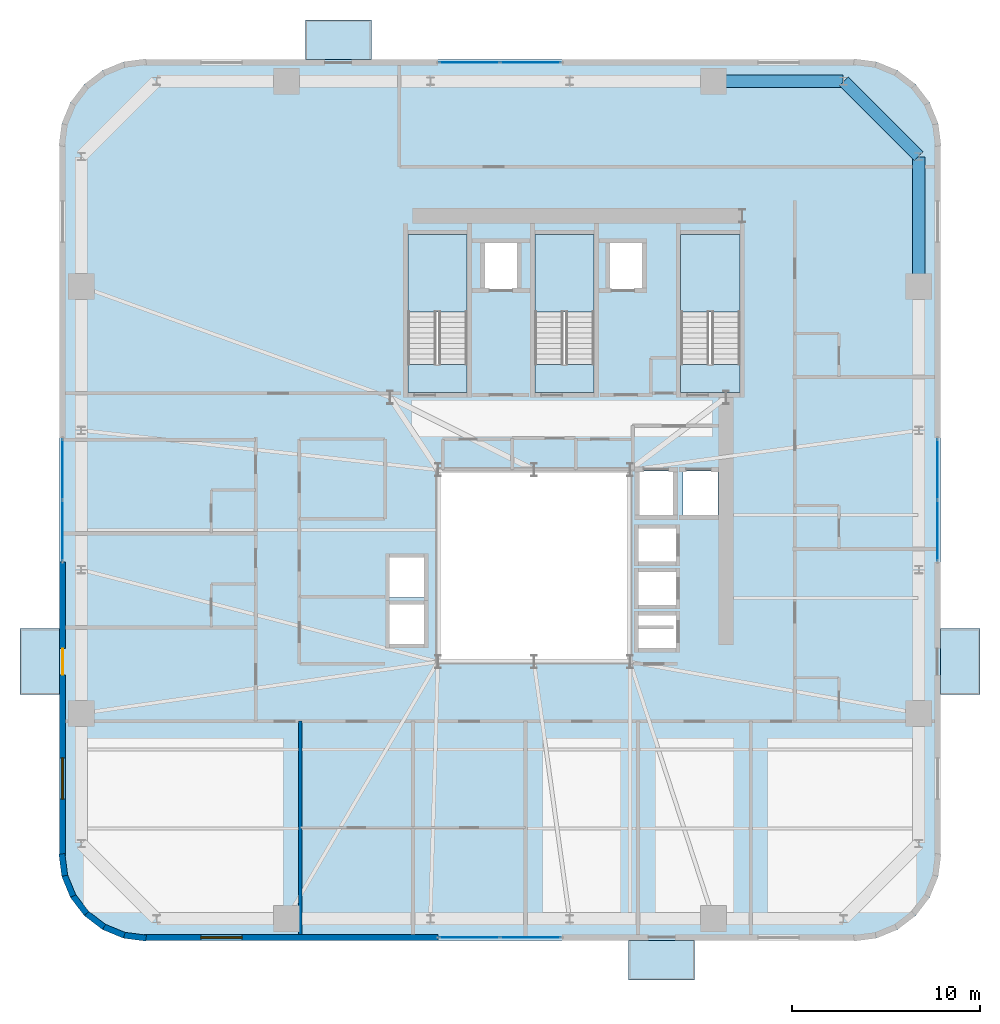
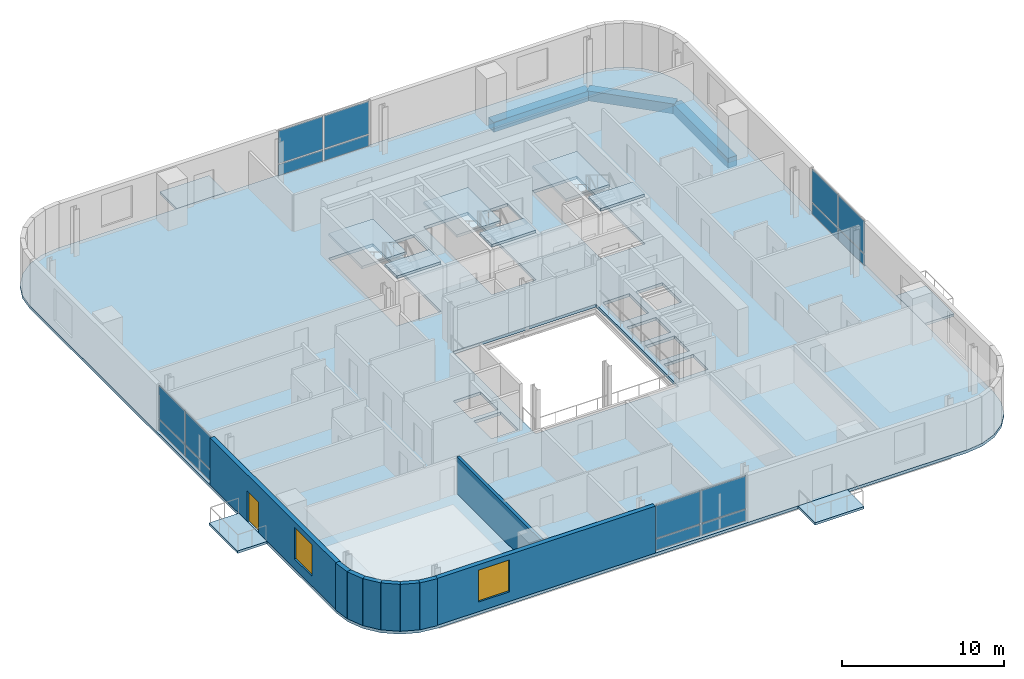
# One storey, part 7 of 15: 16 plates, 11 slabs, 9 walls, 3 beams, 2 windows, 1 door, 3 openings, 7 elements without a shape of their own.
"""IFC4 building model written with IfcOpenShell, lengths in metres."""

from ifc_helpers import new_model, si_unit, direction, frame, frame_2d, origin, origin_2d, place, context, subcontext, project, spatial, polyline, rectangle, outline, extrude, source, transform, mapped, material, layer, layer_set, material_profile, profile_set, type_object, element, fill, aggregate, save


model = new_model("IFC4")

# Units and contexts
model_context = context("Model", 3, precision=1e-05, world=origin(), true_north=direction((0.0, 1.0)))
body_context = subcontext(model_context, "Body", "Model", "MODEL_VIEW")
ifc_project = project(units=[si_unit("LENGTHUNIT", "METRE"), si_unit("AREAUNIT", "SQUARE_METRE"), si_unit("VOLUMEUNIT", "CUBIC_METRE"), si_unit("PLANEANGLEUNIT", "RADIAN"), si_unit("MASSUNIT", "GRAM", prefix="KILO")], contexts=[model_context])

# Site, building, storey
site_placement = place(None, origin())
site = spatial("IfcSite", under=ifc_project, at=site_placement, CompositionType="ELEMENT")
building_placement = place(site_placement, origin())
building = spatial("IfcBuilding", under=site, at=building_placement, Name="Vardaveli Station Tower", CompositionType="ELEMENT")
storey_placement = place(building_placement, frame((0.0, 0.0, 207.300048828125)))
storey = spatial("IfcBuildingStorey", under=building, at=storey_placement, Name="L53", CompositionType="ELEMENT", Elevation=207.300048828125)

# Beams
ifc_material_1 = material(Name="Precast concrete C45/55", Category="concrete")
ifc_material_profile = material_profile(ifc_material_1, rectangle(XDim=0.64990234375, YDim=0.75, at=origin_2d()), Name="LPB 650x750")
ifc_profile_set = profile_set([ifc_material_profile], Name="Precast concrete C45/55")
beam_type = type_object("IfcBeamType", Name="BM-LPB-750", PredefinedType="BEAM", material=ifc_profile_set)
shared_shape_1 = source(origin(), body_context, "Body", "SweptSolid", [
    extrude(rectangle(XDim=0.64990234375, YDim=0.75, at=origin_2d()), origin(), (0.0, 0.0, 1.0), 6.869873046875),
])
for number, where, z_axis, x_axis, name in (
    (1, (56.75, 36.56005859375, -0.594970703125), (0.0, 1.0, 0.0), (-1.0, 0.0, 0.0), "RBM-L53-10"),
    (2, (52.72998046875, 47.449951171875, -0.594970703125), (-1.0, 0.0, 0.0), (0.0, -1.0, 0.0), "RBM-L53-12"),
):
    element("IfcBeam", number, at=place(storey_placement, frame(where, z_axis=z_axis, x_axis=x_axis)), inside=storey, type_object=beam_type, Name=name, PredefinedType="BEAM", context=body_context, shape_type="MappedRepresentation", body=[
        mapped(shared_shape_1, transform((0.0, 0.0, 0.0), scale=1.0)),
    ])
shared_shape_2 = source(origin(), body_context, "Body", "SweptSolid", [
    extrude(rectangle(XDim=0.64990234375, YDim=0.75, at=origin_2d()), origin(), (0.0, 0.0, 1.0), 5.61669921875),
])
beam_placement = place(storey_placement, frame((56.73583984375, 43.464111328125, -0.594970703125), z_axis=(-0.707106781187, 0.707106781187, 0.0), x_axis=(-0.707106781187, -0.707106781187, 0.0)))
element("IfcBeam", 3, at=beam_placement, inside=storey, type_object=beam_type, Name="RBM-L53-11", PredefinedType="BEAM", context=body_context, shape_type="MappedRepresentation", body=[
    mapped(shared_shape_2, transform((0.0, 0.0, 0.0), scale=1.0)),
])

# Stair, slabs
ifc_material_2 = material(Name="Concrete C40/50", Category="concrete")
stair_type = type_object("IfcStairType", Name="STR-CORE-1500", PredefinedType="HALF_TURN_STAIR", material=ifc_material_2)
stair_1_placement = place(storey_placement, origin())
stair_1 = element("IfcStair", 4, at=stair_1_placement, inside=storey, type_object=stair_type, Name="L53 ST-1", PredefinedType="HALF_TURN_STAIR")
ifc_layer_1 = layer(ifc_material_2, 0.199951171875, Name="Concrete C40/50")
ifc_layer_set_1 = layer_set([ifc_layer_1], Name="Concrete C40/50")
slab_type_1 = type_object("IfcSlabType", Name="SLB-LAND-200", PredefinedType="LANDING", material=ifc_layer_set_1)
slab_1_placement = place(storey_placement, frame((0.0, 0.0, 1.675048828125)))
slab_1 = element("IfcSlab", 5, at=slab_1_placement, type_object=slab_type_1, Name="ST-1 landing 1", PredefinedType="LANDING", context=body_context, shape_type="SweptSolid", body=[
    extrude(outline(polyline([(32.75, 35.199951171875), (32.75, 39.300048828125), (29.60009765625, 39.300048828125), (29.60009765625, 35.199951171875), (32.75, 35.199951171875)])), origin(), (0.0, 0.0, 1.0), 0.199951171875),
])
slab_2_placement = place(storey_placement, frame((0.0, 0.0, 3.550048828125)))
slab_2 = element("IfcSlab", 6, at=slab_2_placement, type_object=slab_type_1, Name="ST-1 landing 2", PredefinedType="LANDING", context=body_context, shape_type="SweptSolid", body=[
    extrude(outline(polyline([(32.75, 30.89990234375), (32.75, 32.39990234375), (29.60009765625, 32.39990234375), (29.60009765625, 30.89990234375), (32.75, 30.89990234375)])), origin(), (0.0, 0.0, 1.0), 0.199951171875),
])
aggregate(stair_1, [slab_1, slab_2])

stair_2_placement = place(storey_placement, origin())
stair_2 = element("IfcStair", 7, at=stair_2_placement, inside=storey, type_object=stair_type, Name="L53 ST-2", PredefinedType="HALF_TURN_STAIR")
slab_3_placement = place(storey_placement, frame((0.0, 0.0, 1.675048828125)))
slab_3 = element("IfcSlab", 8, at=slab_3_placement, type_object=slab_type_1, Name="ST-2 landing 1", PredefinedType="LANDING", context=body_context, shape_type="SweptSolid", body=[
    extrude(outline(polyline([(39.5, 35.199951171875), (39.5, 39.300048828125), (36.35009765625, 39.300048828125), (36.35009765625, 35.199951171875), (39.5, 35.199951171875)])), origin(), (0.0, 0.0, 1.0), 0.199951171875),
])
slab_4_placement = place(storey_placement, frame((0.0, 0.0, 3.550048828125)))
slab_4 = element("IfcSlab", 9, at=slab_4_placement, type_object=slab_type_1, Name="ST-2 landing 2", PredefinedType="LANDING", context=body_context, shape_type="SweptSolid", body=[
    extrude(outline(polyline([(39.5, 30.89990234375), (39.5, 32.39990234375), (36.35009765625, 32.39990234375), (36.35009765625, 30.89990234375), (39.5, 30.89990234375)])), origin(), (0.0, 0.0, 1.0), 0.199951171875),
])
aggregate(stair_2, [slab_3, slab_4])

stair_3_placement = place(storey_placement, origin())
stair_3 = element("IfcStair", 10, at=stair_3_placement, inside=storey, type_object=stair_type, Name="L53 ST-3", PredefinedType="HALF_TURN_STAIR")
slab_5_placement = place(storey_placement, frame((0.0, 0.0, 1.675048828125)))
slab_5 = element("IfcSlab", 11, at=slab_5_placement, type_object=slab_type_1, Name="ST-3 landing 1", PredefinedType="LANDING", context=body_context, shape_type="SweptSolid", body=[
    extrude(outline(polyline([(47.25, 35.199951171875), (47.25, 39.300048828125), (44.10009765625, 39.300048828125), (44.10009765625, 35.199951171875), (47.25, 35.199951171875)])), origin(), (0.0, 0.0, 1.0), 0.199951171875),
])
slab_6_placement = place(storey_placement, frame((0.0, 0.0, 3.550048828125)))
slab_6 = element("IfcSlab", 12, at=slab_6_placement, type_object=slab_type_1, Name="ST-3 landing 2", PredefinedType="LANDING", context=body_context, shape_type="SweptSolid", body=[
    extrude(outline(polyline([(47.25, 30.89990234375), (47.25, 32.39990234375), (44.10009765625, 32.39990234375), (44.10009765625, 30.89990234375), (47.25, 30.89990234375)])), origin(), (0.0, 0.0, 1.0), 0.199951171875),
])
aggregate(stair_3, [slab_5, slab_6])

# Slabs
ifc_layer_2 = layer(ifc_material_1, 0.179931640625, Name="Precast concrete C45/55")
ifc_layer_set_2 = layer_set([ifc_layer_2], Name="Precast concrete C45/55")
slab_type_2 = type_object("IfcSlabType", Name="SLB-LOGGIA-180", PredefinedType="FLOOR", material=ifc_layer_set_2)
slab_7_placement = place(storey_placement, frame((0.0, 0.0, -0.179931640625)))
element("IfcSlab", 13, at=slab_7_placement, inside=storey, type_object=slab_type_2, Name="LOG-L53-S", PredefinedType="FLOOR", context=body_context, shape_type="SweptSolid", body=[
    extrude(outline(polyline([(41.339599609375, -0.300048828125), (44.839599609375, -0.300048828125), (44.839599609375, 1.800048828125), (41.339599609375, 1.800048828125), (41.339599609375, -0.300048828125)])), origin(), (0.0, 0.0, 1.0), 0.179931640625),
])
slab_8_placement = place(storey_placement, frame((0.0, 0.0, -0.179931640625)))
element("IfcSlab", 14, at=slab_8_placement, inside=storey, type_object=slab_type_2, Name="LOG-L53-N", PredefinedType="FLOOR", context=body_context, shape_type="SweptSolid", body=[
    extrude(outline(polyline([(24.160400390625, 48.60009765625), (27.660400390625, 48.60009765625), (27.660400390625, 50.699951171875), (24.160400390625, 50.699951171875), (24.160400390625, 48.60009765625)])), origin(), (0.0, 0.0, 1.0), 0.179931640625),
])
slab_9_placement = place(storey_placement, frame((0.0, 0.0, -0.179931640625)))
element("IfcSlab", 15, at=slab_9_placement, inside=storey, type_object=slab_type_2, Name="LOG-L53-W", PredefinedType="FLOOR", context=body_context, shape_type="SweptSolid", body=[
    extrude(outline(polyline([(9.0, 14.8603515625), (11.10009765625, 14.8603515625), (11.10009765625, 18.3603515625), (9.0, 18.3603515625), (9.0, 14.8603515625)])), origin(), (0.0, 0.0, 1.0), 0.179931640625),
])
slab_10_placement = place(storey_placement, frame((0.0, 0.0, -0.179931640625)))
element("IfcSlab", 16, at=slab_10_placement, inside=storey, type_object=slab_type_2, Name="LOG-L53-E", PredefinedType="FLOOR", context=body_context, shape_type="SweptSolid", body=[
    extrude(outline(polyline([(57.89990234375, 14.8603515625), (60.0, 14.8603515625), (60.0, 18.3603515625), (57.89990234375, 18.3603515625), (57.89990234375, 14.8603515625)])), origin(), (0.0, 0.0, 1.0), 0.179931640625),
])
ifc_layer_3 = layer(ifc_material_2, 0.219970703125, Name="Concrete C40/50")
ifc_layer_set_3 = layer_set([ifc_layer_3], Name="Concrete C40/50")
slab_type_3 = type_object("IfcSlabType", Name="SLB-TOW-220", PredefinedType="FLOOR", material=ifc_layer_set_3)
slab_11_placement = place(storey_placement, frame((0.0, 0.0, -0.219970703125)))
element("IfcSlab", 17, at=slab_11_placement, inside=storey, type_object=slab_type_3, Name="SLB-L53-MAIN", PredefinedType="FLOOR", context=body_context, shape_type="SweptSolid", body=[
    extrude(outline(polyline([(11.10009765625, 6.300048828125), (11.25341796875, 5.13525390625), (11.702880859375, 4.050048828125), (12.41796875, 3.117919921875), (13.35009765625, 2.40283203125), (14.435302734375, 1.953369140625), (15.60009765625, 1.800048828125), (53.39990234375, 1.800048828125), (54.564697265625, 1.953369140625), (55.64990234375, 2.40283203125), (56.58203125, 3.117919921875), (57.297119140625, 4.050048828125), (57.74658203125, 5.13525390625), (57.89990234375, 6.300048828125), (57.89990234375, 44.10009765625), (57.74658203125, 45.2646484375), (57.297119140625, 46.35009765625), (56.58203125, 47.281982421875), (55.64990234375, 47.9970703125), (54.564697265625, 48.44677734375), (53.39990234375, 48.60009765625), (15.60009765625, 48.60009765625), (14.435302734375, 48.44677734375), (13.35009765625, 47.9970703125), (12.41796875, 47.281982421875), (11.702880859375, 46.35009765625), (11.25341796875, 45.2646484375), (11.10009765625, 44.10009765625), (11.10009765625, 6.300048828125)]), holes=[polyline([(31.199951171875, 16.60009765625), (41.39990234375, 16.60009765625), (41.39990234375, 26.800048828125), (31.199951171875, 26.800048828125), (31.199951171875, 16.60009765625)]), polyline([(32.75, 30.89990234375), (32.75, 39.300048828125), (29.60009765625, 39.300048828125), (29.60009765625, 30.89990234375), (32.75, 30.89990234375)]), polyline([(39.5, 30.89990234375), (39.5, 39.300048828125), (36.35009765625, 39.300048828125), (36.35009765625, 30.89990234375), (39.5, 30.89990234375)]), polyline([(47.25, 30.89990234375), (47.25, 39.300048828125), (44.10009765625, 39.300048828125), (44.10009765625, 30.89990234375), (47.25, 30.89990234375)]), polyline([(33.659912109375, 36.409912109375), (35.43994140625, 36.409912109375), (35.43994140625, 38.889892578125), (33.659912109375, 38.889892578125), (33.659912109375, 36.409912109375)]), polyline([(40.31005859375, 36.409912109375), (42.090087890625, 36.409912109375), (42.090087890625, 38.889892578125), (40.31005859375, 38.889892578125), (40.31005859375, 36.409912109375)]), polyline([(41.81005859375, 21.885009765625), (43.889892578125, 21.885009765625), (43.889892578125, 23.715087890625), (41.81005859375, 23.715087890625), (41.81005859375, 21.885009765625)]), polyline([(41.81005859375, 19.5849609375), (43.889892578125, 19.5849609375), (43.889892578125, 21.4150390625), (41.81005859375, 21.4150390625), (41.81005859375, 19.5849609375)]), polyline([(41.81005859375, 17.284912109375), (43.889892578125, 17.284912109375), (43.889892578125, 19.114990234375), (41.81005859375, 19.114990234375), (41.81005859375, 17.284912109375)]), polyline([(28.5849609375, 17.510009765625), (30.514892578125, 17.510009765625), (30.514892578125, 19.68994140625), (28.5849609375, 19.68994140625), (28.5849609375, 17.510009765625)]), polyline([(28.5849609375, 20.010009765625), (30.514892578125, 20.010009765625), (30.514892578125, 22.18994140625), (28.5849609375, 22.18994140625), (28.5849609375, 20.010009765625)]), polyline([(41.860107421875, 24.360107421875), (43.739990234375, 24.360107421875), (43.739990234375, 26.739990234375), (41.860107421875, 26.739990234375), (41.860107421875, 24.360107421875)]), polyline([(44.2099609375, 24.360107421875), (46.090087890625, 24.360107421875), (46.090087890625, 26.739990234375), (44.2099609375, 26.739990234375), (44.2099609375, 24.360107421875)])]), origin(), (0.0, 0.0, 1.0), 0.219970703125),
])

# Curtain wall, plates
ifc_material_3 = material(Name="Travertine stone and solar-control glass", Category="masonry")
curtain_wall_type = type_object("IfcCurtainWallType", Name="CW-SYS-5", PredefinedType="NOTDEFINED", material=ifc_material_3)
curtain_wall_1_placement = place(storey_placement, origin())
curtain_wall_1 = element("IfcCurtainWall", 18, at=curtain_wall_1_placement, inside=storey, type_object=curtain_wall_type, Name="CW-L53-S", PredefinedType="NOTDEFINED")
ifc_material_4 = material(Name="Double-glazed low-E solar-control glass", Category="glass")
ifc_layer_4 = layer(ifc_material_4, 0.031982421875, Name="Double-glazed low-E solar-control glass")
ifc_layer_set_4 = layer_set([ifc_layer_4], Name="Double-glazed low-E solar-control glass")
plate_type = type_object("IfcPlateType", Name="CW-SYS-5-PAN", PredefinedType="CURTAIN_PANEL", material=ifc_layer_set_4)
shared_shape_3 = source(origin(), body_context, "Body", "SweptSolid", [
    extrude(rectangle(XDim=3.179931640625, YDim=0.031982421875, at=origin_2d()), origin(), (0.0, 0.0, 1.0), 0.830078125),
])
plate_1_placement = place(storey_placement, frame((32.8701171875, 1.9599609375, 0.079833984375), z_axis=(0.0, 0.0, 1.0), x_axis=(1.0, 0.0, 0.0)))
plate_1 = element("IfcPlate", 19, at=plate_1_placement, type_object=plate_type, Name="CW-5 panel 1.1", PredefinedType="CURTAIN_PANEL", context=body_context, shape_type="MappedRepresentation", body=[
    mapped(shared_shape_3, transform((0.0, 0.0, 0.0), scale=1.0)),
])
plate_2_placement = place(storey_placement, frame((36.1298828125, 1.9599609375, 0.079833984375), z_axis=(0.0, 0.0, 1.0), x_axis=(1.0, 0.0, 0.0)))
plate_2 = element("IfcPlate", 20, at=plate_2_placement, type_object=plate_type, Name="CW-5 panel 2.1", PredefinedType="CURTAIN_PANEL", context=body_context, shape_type="MappedRepresentation", body=[
    mapped(shared_shape_3, transform((0.0, 0.0, 0.0), scale=1.0)),
])

curtain_wall_2_placement = place(storey_placement, origin())
curtain_wall_2 = element("IfcCurtainWall", 21, at=curtain_wall_2_placement, inside=storey, type_object=curtain_wall_type, Name="CW-L53-N", PredefinedType="NOTDEFINED")
plate_3_placement = place(storey_placement, frame((36.1298828125, 48.43994140625, 0.079833984375), z_axis=(0.0, 0.0, 1.0), x_axis=(-1.0, 0.0, 0.0)))
plate_3 = element("IfcPlate", 22, at=plate_3_placement, type_object=plate_type, Name="CW-5 panel 1.1", PredefinedType="CURTAIN_PANEL", context=body_context, shape_type="MappedRepresentation", body=[
    mapped(shared_shape_3, transform((0.0, 0.0, 0.0), scale=1.0)),
])
plate_4_placement = place(storey_placement, frame((32.8701171875, 48.43994140625, 0.079833984375), z_axis=(0.0, 0.0, 1.0), x_axis=(-1.0, 0.0, 0.0)))
plate_4 = element("IfcPlate", 23, at=plate_4_placement, type_object=plate_type, Name="CW-5 panel 2.1", PredefinedType="CURTAIN_PANEL", context=body_context, shape_type="MappedRepresentation", body=[
    mapped(shared_shape_3, transform((0.0, 0.0, 0.0), scale=1.0)),
])

curtain_wall_3_placement = place(storey_placement, origin())
curtain_wall_3 = element("IfcCurtainWall", 24, at=curtain_wall_3_placement, inside=storey, type_object=curtain_wall_type, Name="CW-L53-W", PredefinedType="NOTDEFINED")
plate_5_placement = place(storey_placement, frame((11.260009765625, 26.830078125, 0.079833984375), z_axis=(0.0, 0.0, 1.0), x_axis=(0.0, -1.0, 0.0)))
plate_5 = element("IfcPlate", 25, at=plate_5_placement, type_object=plate_type, Name="CW-5 panel 1.1", PredefinedType="CURTAIN_PANEL", context=body_context, shape_type="MappedRepresentation", body=[
    mapped(shared_shape_3, transform((0.0, 0.0, 0.0), scale=1.0)),
])
plate_6_placement = place(storey_placement, frame((11.260009765625, 23.570068359375, 0.079833984375), z_axis=(0.0, 0.0, 1.0), x_axis=(0.0, -1.0, 0.0)))
plate_6 = element("IfcPlate", 26, at=plate_6_placement, type_object=plate_type, Name="CW-5 panel 2.1", PredefinedType="CURTAIN_PANEL", context=body_context, shape_type="MappedRepresentation", body=[
    mapped(shared_shape_3, transform((0.0, 0.0, 0.0), scale=1.0)),
])

curtain_wall_4_placement = place(storey_placement, origin())
curtain_wall_4 = element("IfcCurtainWall", 27, at=curtain_wall_4_placement, inside=storey, type_object=curtain_wall_type, Name="CW-L53-E", PredefinedType="NOTDEFINED")
plate_7_placement = place(storey_placement, frame((57.739990234375, 23.570068359375, 0.079833984375), z_axis=(0.0, 0.0, 1.0), x_axis=(0.0, 1.0, 0.0)))
plate_7 = element("IfcPlate", 28, at=plate_7_placement, type_object=plate_type, Name="CW-5 panel 1.1", PredefinedType="CURTAIN_PANEL", context=body_context, shape_type="MappedRepresentation", body=[
    mapped(shared_shape_3, transform((0.0, 0.0, 0.0), scale=1.0)),
])
plate_8_placement = place(storey_placement, frame((57.739990234375, 26.830078125, 0.079833984375), z_axis=(0.0, 0.0, 1.0), x_axis=(0.0, 1.0, 0.0)))
plate_8 = element("IfcPlate", 29, at=plate_8_placement, type_object=plate_type, Name="CW-5 panel 2.1", PredefinedType="CURTAIN_PANEL", context=body_context, shape_type="MappedRepresentation", body=[
    mapped(shared_shape_3, transform((0.0, 0.0, 0.0), scale=1.0)),
])

# Plate
shared_shape_4 = source(origin(), body_context, "Body", "SweptSolid", [
    extrude(rectangle(XDim=3.179931640625, YDim=0.031982421875, at=origin_2d()), origin(), (0.0, 0.0, 1.0), 2.4599609375),
])
plate_9_placement = place(storey_placement, frame((32.8701171875, 1.9599609375, 0.989990234375), z_axis=(0.0, 0.0, 1.0), x_axis=(1.0, 0.0, 0.0)))
plate_9 = element("IfcPlate", 30, at=plate_9_placement, type_object=plate_type, Name="CW-5 panel 1.2", PredefinedType="CURTAIN_PANEL", context=body_context, shape_type="MappedRepresentation", body=[
    mapped(shared_shape_4, transform((0.0, 0.0, 0.0), scale=1.0)),
])

plate_10_placement = place(storey_placement, frame((36.1298828125, 1.9599609375, 0.989990234375), z_axis=(0.0, 0.0, 1.0), x_axis=(1.0, 0.0, 0.0)))
plate_10 = element("IfcPlate", 31, at=plate_10_placement, type_object=plate_type, Name="CW-5 panel 2.2", PredefinedType="CURTAIN_PANEL", context=body_context, shape_type="MappedRepresentation", body=[
    mapped(shared_shape_4, transform((0.0, 0.0, 0.0), scale=1.0)),
])

aggregate(curtain_wall_1, [plate_1, plate_9, plate_2, plate_10])

plate_11_placement = place(storey_placement, frame((36.1298828125, 48.43994140625, 0.989990234375), z_axis=(0.0, 0.0, 1.0), x_axis=(-1.0, 0.0, 0.0)))
plate_11 = element("IfcPlate", 32, at=plate_11_placement, type_object=plate_type, Name="CW-5 panel 1.2", PredefinedType="CURTAIN_PANEL", context=body_context, shape_type="MappedRepresentation", body=[
    mapped(shared_shape_4, transform((0.0, 0.0, 0.0), scale=1.0)),
])

plate_12_placement = place(storey_placement, frame((32.8701171875, 48.43994140625, 0.989990234375), z_axis=(0.0, 0.0, 1.0), x_axis=(-1.0, 0.0, 0.0)))
plate_12 = element("IfcPlate", 33, at=plate_12_placement, type_object=plate_type, Name="CW-5 panel 2.2", PredefinedType="CURTAIN_PANEL", context=body_context, shape_type="MappedRepresentation", body=[
    mapped(shared_shape_4, transform((0.0, 0.0, 0.0), scale=1.0)),
])

aggregate(curtain_wall_2, [plate_3, plate_11, plate_4, plate_12])

plate_13_placement = place(storey_placement, frame((11.260009765625, 26.830078125, 0.989990234375), z_axis=(0.0, 0.0, 1.0), x_axis=(0.0, -1.0, 0.0)))
plate_13 = element("IfcPlate", 34, at=plate_13_placement, type_object=plate_type, Name="CW-5 panel 1.2", PredefinedType="CURTAIN_PANEL", context=body_context, shape_type="MappedRepresentation", body=[
    mapped(shared_shape_4, transform((0.0, 0.0, 0.0), scale=1.0)),
])

plate_14_placement = place(storey_placement, frame((11.260009765625, 23.570068359375, 0.989990234375), z_axis=(0.0, 0.0, 1.0), x_axis=(0.0, -1.0, 0.0)))
plate_14 = element("IfcPlate", 35, at=plate_14_placement, type_object=plate_type, Name="CW-5 panel 2.2", PredefinedType="CURTAIN_PANEL", context=body_context, shape_type="MappedRepresentation", body=[
    mapped(shared_shape_4, transform((0.0, 0.0, 0.0), scale=1.0)),
])

aggregate(curtain_wall_3, [plate_5, plate_13, plate_6, plate_14])

plate_15_placement = place(storey_placement, frame((57.739990234375, 23.570068359375, 0.989990234375), z_axis=(0.0, 0.0, 1.0), x_axis=(0.0, 1.0, 0.0)))
plate_15 = element("IfcPlate", 36, at=plate_15_placement, type_object=plate_type, Name="CW-5 panel 1.2", PredefinedType="CURTAIN_PANEL", context=body_context, shape_type="MappedRepresentation", body=[
    mapped(shared_shape_4, transform((0.0, 0.0, 0.0), scale=1.0)),
])

plate_16_placement = place(storey_placement, frame((57.739990234375, 26.830078125, 0.989990234375), z_axis=(0.0, 0.0, 1.0), x_axis=(0.0, 1.0, 0.0)))
plate_16 = element("IfcPlate", 37, at=plate_16_placement, type_object=plate_type, Name="CW-5 panel 2.2", PredefinedType="CURTAIN_PANEL", context=body_context, shape_type="MappedRepresentation", body=[
    mapped(shared_shape_4, transform((0.0, 0.0, 0.0), scale=1.0)),
])

aggregate(curtain_wall_4, [plate_7, plate_15, plate_8, plate_16])

# Wall, opening, window
ifc_layer_5 = layer(ifc_material_1, 0.320068359375, Name="Precast concrete C45/55")
ifc_layer_set_5 = layer_set([ifc_layer_5], Name="Precast concrete C45/55")
wall_type_1 = type_object("IfcWallType", Name="WAL-EXT-STONE-320", PredefinedType="SOLIDWALL", material=ifc_layer_set_5)
shared_shape_5 = source(origin(), body_context, "Body", "SweptSolid", [
    extrude(rectangle(XDim=15.599853515625, YDim=0.320068359375, at=frame_2d((7.7998046875, 0.0))), origin(), (0.0, 0.0, 1.0), 3.530029296875),
])
wall_1_placement = place(storey_placement, frame((15.60009765625, 1.9599609375, 0.0), z_axis=(0.0, 0.0, 1.0), x_axis=(1.0, 0.0, 0.0)))
wall_1 = element("IfcWall", 38, at=wall_1_placement, inside=storey, type_object=wall_type_1, Name="EW-L53-S1", PredefinedType="SOLIDWALL", context=body_context, shape_type="MappedRepresentation", body=[
    mapped(shared_shape_5, transform((0.0, 0.0, 0.0), scale=1.0)),
])
shared_shape_6 = source(origin(), body_context, "Body", "SweptSolid", [
    extrude(rectangle(XDim=2.199951171875, YDim=2.39990234375, at=frame_2d((1.10009765625, 1.199951171875))), frame((0.0, 0.169921875, 0.0), z_axis=(0.0, -1.0, 0.0), x_axis=(1.0, 0.0, 0.0)), (0.0, 0.0, 1.0), 0.340087890625),
])
opening_1_placement = place(wall_1_placement, frame((3.0048828125, 0.0, 0.719970703125)))
opening_1 = element("IfcOpeningElement", 39, at=opening_1_placement, cuts=wall_1, Name="Opening W-03", PredefinedType="OPENING", context=body_context, shape_type="MappedRepresentation", body=[
    mapped(shared_shape_6, transform((0.0, 0.0, 0.0), scale=1.0)),
])
ifc_material_5 = material(Name="Low-E solar-control glass", Category="glass")
window_type = type_object("IfcWindowType", Name="WIN-LOG-2200x2400", PartitioningType="SINGLE_PANEL", PredefinedType="WINDOW", material=ifc_material_5)
shared_shape_7 = source(origin(), body_context, "Body", "SweptSolid", [
    extrude(rectangle(XDim=2.199951171875, YDim=2.39990234375, at=frame_2d((1.10009765625, 1.199951171875))), frame((0.0, 0.030029296875, 0.0), z_axis=(0.0, -1.0, 0.0), x_axis=(1.0, 0.0, 0.0)), (0.0, 0.0, 1.0), 0.06005859375),
])
window_1_placement = place(opening_1_placement, origin())
window_1 = element("IfcWindow", 40, at=window_1_placement, inside=storey, type_object=window_type, Name="WN-L53-S1", OverallHeight=2.39990234375, OverallWidth=2.199951171875, PartitioningType="SINGLE_PANEL", PredefinedType="WINDOW", context=body_context, shape_type="MappedRepresentation", body=[
    mapped(shared_shape_7, transform((0.0, 0.0, 0.0), scale=1.0)),
])
fill(opening_1, window_1)

# Wall, openings, door, window
wall_2_placement = place(storey_placement, frame((11.260009765625, 21.89990234375, 0.0), z_axis=(0.0, 0.0, 1.0), x_axis=(0.0, -1.0, 0.0)))
wall_2 = element("IfcWall", 41, at=wall_2_placement, inside=storey, type_object=wall_type_1, Name="EW-L53-W2", PredefinedType="SOLIDWALL", context=body_context, shape_type="MappedRepresentation", body=[
    mapped(shared_shape_5, transform((0.0, 0.0, 0.0), scale=1.0)),
])
shared_shape_8 = source(origin(), body_context, "Body", "SweptSolid", [
    extrude(rectangle(XDim=1.39990234375, YDim=2.300048828125, at=frame_2d((0.699951171875, 1.14990234375))), frame((0.0, 0.169921875, 0.0), z_axis=(0.0, -1.0, 0.0), x_axis=(1.0, 0.0, 0.0)), (0.0, 0.0, 1.0), 0.340087890625),
])
opening_2_placement = place(wall_2_placement, frame((4.589599609375, 0.0, 0.0)))
opening_2 = element("IfcOpeningElement", 42, at=opening_2_placement, cuts=wall_2, Name="Opening D-09", PredefinedType="OPENING", context=body_context, shape_type="MappedRepresentation", body=[
    mapped(shared_shape_8, transform((0.0, 0.0, 0.0), scale=1.0)),
])
opening_3_placement = place(wall_2_placement, frame((10.39501953125, 0.0, 0.719970703125)))
opening_3 = element("IfcOpeningElement", 43, at=opening_3_placement, cuts=wall_2, Name="Opening W-03", PredefinedType="OPENING", context=body_context, shape_type="MappedRepresentation", body=[
    mapped(shared_shape_6, transform((0.0, 0.0, 0.0), scale=1.0)),
])
ifc_material_6 = material(Name="Thermally broken aluminium glass", Category="aluminium")
door_type = type_object("IfcDoorType", Name="DR-LOG-1400x2300", OperationType="DOUBLE_DOOR_SLIDING", PredefinedType="DOOR", material=ifc_material_6)
shared_shape_9 = source(origin(), body_context, "Body", "SweptSolid", [
    extrude(rectangle(XDim=1.39990234375, YDim=2.300048828125, at=frame_2d((0.699951171875, 1.14990234375))), frame((0.0, 0.02490234375, 0.0), z_axis=(0.0, -1.0, 0.0), x_axis=(1.0, 0.0, 0.0)), (0.0, 0.0, 1.0), 0.050048828125),
])
door_placement = place(opening_2_placement, frame((1.39990234375, 0.0, 0.0), z_axis=(0.0, 0.0, 1.0), x_axis=(-1.0, 0.0, 0.0)))
door = element("IfcDoor", 44, at=door_placement, inside=storey, type_object=door_type, Name="DLG-L53-W", OperationType="DOUBLE_DOOR_SLIDING", OverallHeight=2.300048828125, OverallWidth=1.39990234375, PredefinedType="DOOR", context=body_context, shape_type="MappedRepresentation", body=[
    mapped(shared_shape_9, transform((0.0, 0.0, 0.0), scale=1.0)),
])
fill(opening_2, door)
window_2_placement = place(opening_3_placement, origin())
window_2 = element("IfcWindow", 45, at=window_2_placement, inside=storey, type_object=window_type, Name="WN-L53-W2", OverallHeight=2.39990234375, OverallWidth=2.199951171875, PartitioningType="SINGLE_PANEL", PredefinedType="WINDOW", context=body_context, shape_type="MappedRepresentation", body=[
    mapped(shared_shape_7, transform((0.0, 0.0, 0.0), scale=1.0)),
])
fill(opening_3, window_2)

# Walls
shared_shape_10 = source(origin(), body_context, "Body", "SweptSolid", [
    extrude(rectangle(XDim=1.170654296875, YDim=0.320068359375, at=frame_2d((0.58544921875, 0.0))), origin(), (0.0, 0.0, 1.0), 3.530029296875),
])
wall_3_placement = place(storey_placement, frame((11.224365234375, 6.400634765625, 0.0), z_axis=(0.0, 0.0, 1.0), x_axis=(0.128269133229, -0.991739395941, 0.0)))
element("IfcWall", 46, at=wall_3_placement, inside=storey, type_object=wall_type_1, Name="EW-L53-CR1-1", PredefinedType="SOLIDWALL", context=body_context, shape_type="MappedRepresentation", body=[
    mapped(shared_shape_10, transform((0.0, 0.0, 0.0), scale=1.0)),
])
shared_shape_11 = source(origin(), body_context, "Body", "SweptSolid", [
    extrude(rectangle(XDim=1.1689453125, YDim=0.320068359375, at=frame_2d((0.58447265625, 0.0))), origin(), (0.0, 0.0, 1.0), 3.530029296875),
])
for number, where, z_axis, x_axis, name in (
    (47, (11.37451171875, 5.23974609375, 0.0), (0.0, 0.0, 1.0), (0.381127904695, -0.924522320046, 0.0), "EW-L53-CR1-2"),
    (48, (11.820068359375, 4.158935546875, 0.0), (0.0, 0.0, 1.0), (0.608387696831, -0.793639975269, 0.0), "EW-L53-CR1-3"),
):
    element("IfcWall", number, at=place(storey_placement, frame(where, z_axis=z_axis, x_axis=x_axis)), inside=storey, type_object=wall_type_1, Name=name, PredefinedType="SOLIDWALL", context=body_context, shape_type="MappedRepresentation", body=[
        mapped(shared_shape_11, transform((0.0, 0.0, 0.0), scale=1.0)),
    ])
shared_shape_12 = source(origin(), body_context, "Body", "SweptSolid", [
    extrude(rectangle(XDim=1.168701171875, YDim=0.320068359375, at=frame_2d((0.58447265625, 0.0))), origin(), (0.0, 0.0, 1.0), 3.530029296875),
])
wall_4_placement = place(storey_placement, frame((12.53125, 3.231201171875, 0.0), z_axis=(0.0, 0.0, 1.0), x_axis=(0.793663520347, -0.608356981114, 0.0)))
element("IfcWall", 49, at=wall_4_placement, inside=storey, type_object=wall_type_1, Name="EW-L53-CR1-4", PredefinedType="SOLIDWALL", context=body_context, shape_type="MappedRepresentation", body=[
    mapped(shared_shape_12, transform((0.0, 0.0, 0.0), scale=1.0)),
])
shared_shape_13 = source(origin(), body_context, "Body", "SweptSolid", [
    extrude(rectangle(XDim=1.16943359375, YDim=0.320068359375, at=frame_2d((0.584716796875, 0.0))), origin(), (0.0, 0.0, 1.0), 3.530029296875),
])
wall_5_placement = place(storey_placement, frame((13.458740234375, 2.520263671875, 0.0), z_axis=(0.0, 0.0, 1.0), x_axis=(0.924479075121, -0.381232789334, 0.0)))
element("IfcWall", 50, at=wall_5_placement, inside=storey, type_object=wall_type_1, Name="EW-L53-CR1-5", PredefinedType="SOLIDWALL", context=body_context, shape_type="MappedRepresentation", body=[
    mapped(shared_shape_13, transform((0.0, 0.0, 0.0), scale=1.0)),
])
shared_shape_14 = source(origin(), body_context, "Body", "SweptSolid", [
    extrude(rectangle(XDim=1.170166015625, YDim=0.320068359375, at=frame_2d((0.5849609375, 0.0))), origin(), (0.0, 0.0, 1.0), 3.530029296875),
])
wall_6_placement = place(storey_placement, frame((14.539794921875, 2.074462890625, 0.0), z_axis=(0.0, 0.0, 1.0), x_axis=(0.991762485493, -0.128090485085, 0.0)))
element("IfcWall", 51, at=wall_6_placement, inside=storey, type_object=wall_type_1, Name="EW-L53-CR1-6", PredefinedType="SOLIDWALL", context=body_context, shape_type="MappedRepresentation", body=[
    mapped(shared_shape_14, transform((0.0, 0.0, 0.0), scale=1.0)),
])
ifc_material_7 = material(Name="Acoustic twin-stud gypsum partition")
ifc_layer_6 = layer(ifc_material_7, 0.199951171875, Name="Acoustic twin-stud gypsum partition")
ifc_layer_set_6 = layer_set([ifc_layer_6], Name="Acoustic twin-stud gypsum partition")
wall_type_2 = type_object("IfcWallType", Name="WAL-PARTY-200", PredefinedType="PARTITIONING", material=ifc_layer_set_6)
shared_shape_15 = source(origin(), body_context, "Body", "SweptSolid", [
    extrude(rectangle(XDim=11.327880859375, YDim=0.199951171875, at=frame_2d((5.6640625, 0.0))), origin(), (0.0, 0.0, 1.0), 2.77197265625),
])
wall_7_placement = place(storey_placement, frame((23.889892578125, 2.1220703125, 0.0), z_axis=(0.0, 0.0, 1.0), x_axis=(0.0, 1.0, 0.0)))
element("IfcWall", 52, at=wall_7_placement, inside=storey, type_object=wall_type_2, Name="W-L53-PS1", PredefinedType="PARTITIONING", context=body_context, shape_type="MappedRepresentation", body=[
    mapped(shared_shape_15, transform((0.0, 0.0, 0.0), scale=1.0)),
])

save(model, "model.ifc")
